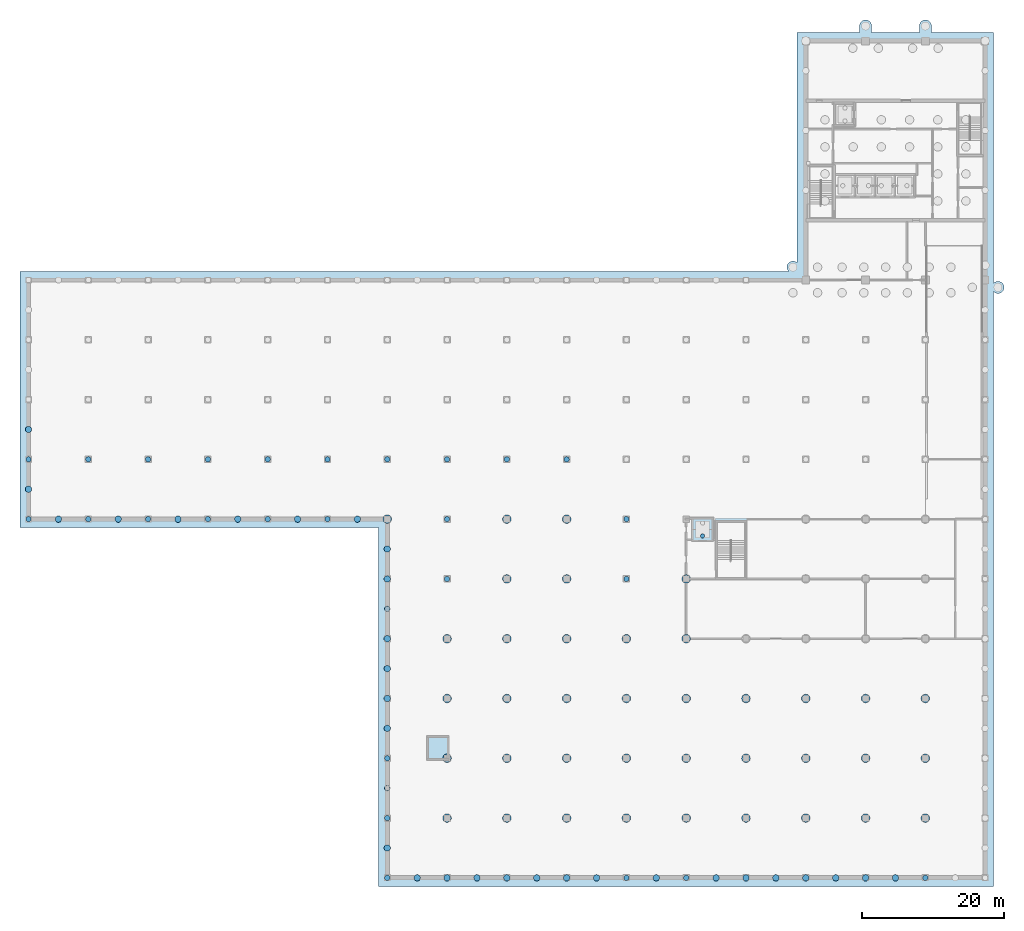
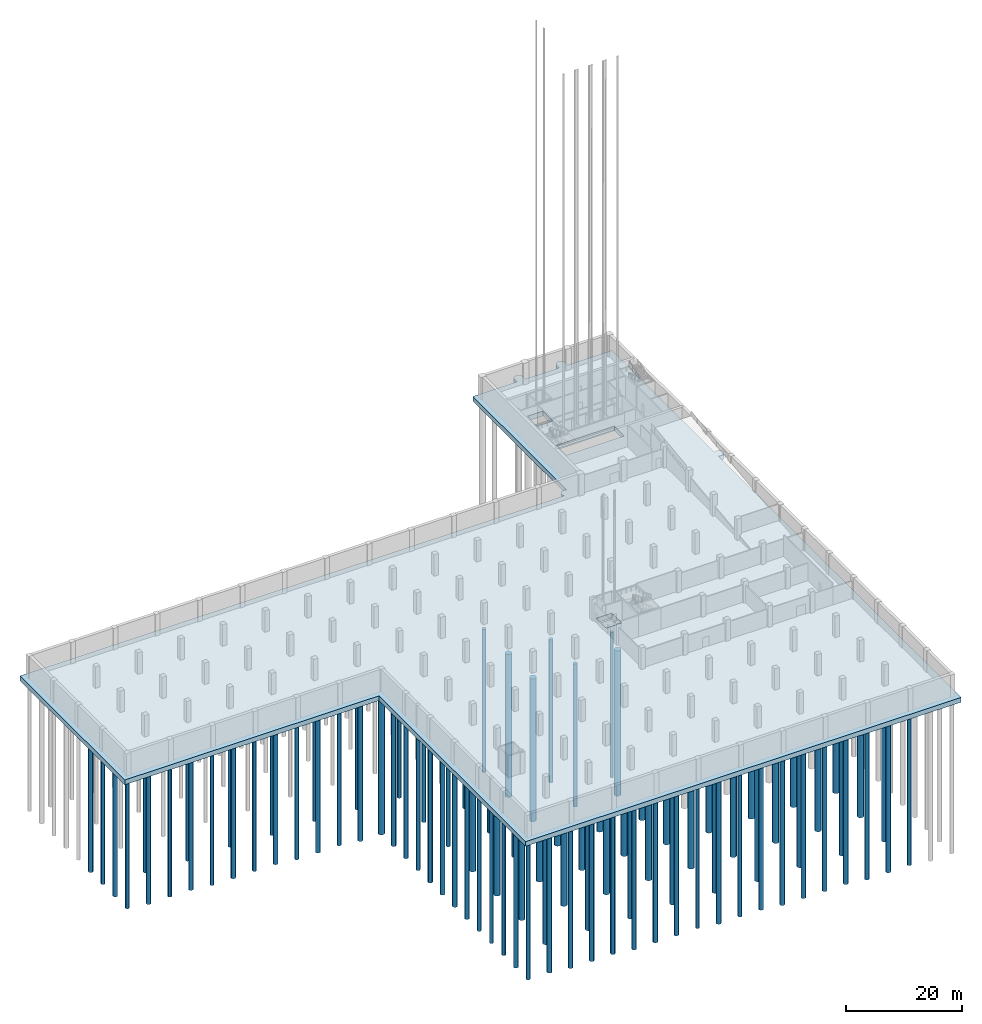
# One storey, part 1 of 26: 97 piles, 2 footings.
"""IFC4 building model written with IfcOpenShell, lengths in metres."""

from ifc_helpers import new_model, si_unit, direction, frame, origin, origin_2d, place, context, subcontext, project, spatial, polyline, rectangle, circle, outline, extrude, material, layer, layer_set, material_profile, profile_set, type_object, element, save


model = new_model("IFC4")

# Units and contexts
model_context = context("Model", 3, precision=1e-05, world=origin(), true_north=direction((0.0, 1.0)))
body_context = subcontext(model_context, "Body", "Model", "MODEL_VIEW")
ifc_project = project(units=[si_unit("LENGTHUNIT", "METRE"), si_unit("AREAUNIT", "SQUARE_METRE"), si_unit("VOLUMEUNIT", "CUBIC_METRE"), si_unit("PLANEANGLEUNIT", "RADIAN"), si_unit("MASSUNIT", "GRAM", prefix="KILO")], contexts=[model_context])

# Site, building, storey
site_placement = place(None, origin())
site = spatial("IfcSite", under=ifc_project, at=site_placement, CompositionType="ELEMENT")
building_placement = place(site_placement, origin())
building = spatial("IfcBuilding", under=site, at=building_placement, Name="Rulbaag Community and Learning Centre", CompositionType="ELEMENT")
storey_placement = place(building_placement, frame((0.0, 0.0, -9.60009765625)))
storey = spatial("IfcBuildingStorey", under=building, at=storey_placement, Name="B2", CompositionType="ELEMENT", Elevation=-9.60009765625)

# Footing
ifc_material = material(Name="Concrete M35", Category="concrete")
ifc_layer = layer(ifc_material, 1.0)
ifc_layer_set = layer_set([ifc_layer], Name="F1 Foundation slab 1000 Concrete M35")
footing_type_1 = type_object("IfcFootingType", Name="F1 Foundation slab 1000 Concrete M35", PredefinedType="USERDEFINED", material=ifc_layer_set)
footing_1_placement = place(storey_placement, frame((0.0, 0.0, -1.25)))
element("IfcFooting", 1, at=footing_1_placement, inside=storey, type_object=footing_type_1, Name="Foundation slab", ObjectType="FOUNDATION SLAB", PredefinedType="USERDEFINED", context=body_context, shape_type="SweptSolid", body=[
    extrude(outline(polyline([(32.39990234375, 49.199951171875), (32.39990234375, 85.199951171875), (140.39794921875, 85.199951171875), (140.343017578125, 85.2607421875), (140.293212890625, 85.327880859375), (140.25048828125, 85.3994140625), (140.214599609375, 85.474609375), (140.1865234375, 85.55322265625), (140.166259765625, 85.63427734375), (140.154052734375, 85.716796875), (140.14990234375, 85.800048828125), (140.154052734375, 85.88330078125), (140.166259765625, 85.9658203125), (140.1865234375, 86.046630859375), (140.214599609375, 86.125244140625), (140.25048828125, 86.20068359375), (140.293212890625, 86.272216796875), (140.343017578125, 86.339111328125), (140.39892578125, 86.40087890625), (140.460693359375, 86.45703125), (140.52783203125, 86.506591796875), (140.599365234375, 86.549560546875), (140.6748046875, 86.585205078125), (140.75341796875, 86.61328125), (140.834228515625, 86.6337890625), (140.916748046875, 86.64599609375), (141.0, 86.64990234375), (141.083251953125, 86.64599609375), (141.165771484375, 86.6337890625), (141.24658203125, 86.61328125), (141.3251953125, 86.585205078125), (141.400634765625, 86.549560546875), (141.47216796875, 86.506591796875), (141.539306640625, 86.45703125), (141.60009765625, 86.402099609375), (141.60009765625, 118.800048828125), (150.35009765625, 118.800048828125), (150.35009765625, 119.6787109375), (150.35400390625, 119.761962890625), (150.3662109375, 119.844482421875), (150.38671875, 119.92529296875), (150.414794921875, 120.00390625), (150.450439453125, 120.079345703125), (150.493408203125, 120.15087890625), (150.54296875, 120.218017578125), (150.59912109375, 120.27978515625), (150.660888671875, 120.335693359375), (150.727783203125, 120.385498046875), (150.79931640625, 120.42822265625), (150.874755859375, 120.464111328125), (150.953369140625, 120.4921875), (151.0341796875, 120.51220703125), (151.11669921875, 120.524658203125), (151.199951171875, 120.52880859375), (151.283203125, 120.524658203125), (151.36572265625, 120.51220703125), (151.44677734375, 120.4921875), (151.525390625, 120.464111328125), (151.6005859375, 120.42822265625), (151.672119140625, 120.385498046875), (151.7392578125, 120.335693359375), (151.801025390625, 120.27978515625), (151.857177734375, 120.218017578125), (151.90673828125, 120.15087890625), (151.94970703125, 120.079345703125), (151.9853515625, 120.00390625), (152.013427734375, 119.92529296875), (152.03369140625, 119.844482421875), (152.0458984375, 119.761962890625), (152.050048828125, 119.6787109375), (152.050048828125, 118.800048828125), (158.75, 118.800048828125), (158.75, 118.800048828125), (158.75, 119.6787109375), (158.750244140625, 119.682861328125), (158.754150390625, 119.761962890625), (158.764404296875, 119.832275390625), (158.766357421875, 119.844482421875), (158.771484375, 119.86474609375), (158.78662109375, 119.92529296875), (158.8046875, 119.975830078125), (158.814697265625, 120.00390625), (158.83154296875, 120.03955078125), (158.850341796875, 120.079345703125), (158.867431640625, 120.10791015625), (158.893310546875, 120.15087890625), (158.920166015625, 120.18701171875), (158.94287109375, 120.218017578125), (158.964111328125, 120.2412109375), (158.9990234375, 120.27978515625), (159.060791015625, 120.335693359375), (159.10595703125, 120.369140625), (159.127685546875, 120.385498046875), (159.19921875, 120.42822265625), (159.19921875, 120.42822265625), (159.203369140625, 120.43017578125), (159.274658203125, 120.464111328125), (159.353271484375, 120.4921875), (159.393798828125, 120.502197265625), (159.43408203125, 120.51220703125), (159.4921875, 120.52099609375), (159.5166015625, 120.524658203125), (159.60009765625, 120.52880859375), (159.60009765625, 120.52880859375), (159.683349609375, 120.524658203125), (159.765869140625, 120.51220703125), (159.806396484375, 120.502197265625), (159.8466796875, 120.4921875), (159.92529296875, 120.464111328125), (160.000732421875, 120.42822265625), (160.000732421875, 120.42822265625), (160.012451171875, 120.421142578125), (160.072265625, 120.385498046875), (160.117431640625, 120.351806640625), (160.13916015625, 120.335693359375), (160.200927734375, 120.27978515625), (160.22216796875, 120.25634765625), (160.257080078125, 120.218017578125), (160.283935546875, 120.181640625), (160.306640625, 120.15087890625), (160.329833984375, 120.1123046875), (160.349609375, 120.079345703125), (160.366455078125, 120.043701171875), (160.38525390625, 120.00390625), (160.4033203125, 119.95361328125), (160.413330078125, 119.92529296875), (160.43359375, 119.844482421875), (160.44580078125, 119.761962890625), (160.449951171875, 119.6787109375), (160.449951171875, 119.6787109375), (160.449951171875, 119.6787109375), (160.449951171875, 118.800048828125), (169.199951171875, 118.800048828125), (169.199951171875, 83.562744140625), (169.2607421875, 83.61767578125), (169.327880859375, 83.66748046875), (169.3994140625, 83.710205078125), (169.474609375, 83.74609375), (169.55322265625, 83.774169921875), (169.63427734375, 83.794189453125), (169.716796875, 83.806640625), (169.800048828125, 83.810791015625), (169.88330078125, 83.806640625), (169.9658203125, 83.794189453125), (170.046630859375, 83.774169921875), (170.125244140625, 83.74609375), (170.20068359375, 83.710205078125), (170.272216796875, 83.66748046875), (170.339111328125, 83.61767578125), (170.40087890625, 83.561767578125), (170.45703125, 83.5), (170.506591796875, 83.432861328125), (170.549560546875, 83.361328125), (170.585205078125, 83.285888671875), (170.61328125, 83.20751953125), (170.6337890625, 83.12646484375), (170.64599609375, 83.0439453125), (170.64990234375, 82.960693359375), (170.64599609375, 82.87744140625), (170.6337890625, 82.794921875), (170.61328125, 82.7138671875), (170.585205078125, 82.635498046875), (170.549560546875, 82.56005859375), (170.506591796875, 82.48828125), (170.45703125, 82.42138671875), (170.40087890625, 82.359619140625), (170.339111328125, 82.3037109375), (170.272216796875, 82.25390625), (170.20068359375, 82.2109375), (170.125244140625, 82.17529296875), (170.046630859375, 82.147216796875), (169.9658203125, 82.126953125), (169.88330078125, 82.11474609375), (169.800048828125, 82.110595703125), (169.716796875, 82.11474609375), (169.63427734375, 82.126953125), (169.55322265625, 82.147216796875), (169.474609375, 82.17529296875), (169.3994140625, 82.2109375), (169.327880859375, 82.25390625), (169.2607421875, 82.3037109375), (169.199951171875, 82.358642578125), (169.199951171875, -1.199951171875), (82.800048828125, -1.199951171875), (82.800048828125, 49.199951171875), (32.39990234375, 49.199951171875)]), holes=[polyline([(126.75, 47.25), (126.75, 50.64990234375), (129.85009765625, 50.64990234375), (129.85009765625, 47.25), (126.75, 47.25)]), polyline([(146.75, 98.949951171875), (158.25, 98.949951171875), (158.25, 95.550048828125), (146.75, 95.550048828125), (146.75, 98.949951171875)]), polyline([(146.75, 108.949951171875), (149.85009765625, 108.949951171875), (149.85009765625, 105.550048828125), (146.75, 105.550048828125), (146.75, 108.949951171875)])]), origin(), (0.0, 0.0, 1.0), 1.0),
])

# Piles
ifc_material_profile_1 = material_profile(ifc_material, circle(Radius=0.375, at=origin_2d()), Name="BP750")
ifc_profile_set_1 = profile_set([ifc_material_profile_1], Name="Concrete M35")
pile_type_1 = type_object("IfcPileType", Name="P1 Bored pile 750 mm Concrete M35", PredefinedType="BORED", material=ifc_profile_set_1)
for number, where, z_axis, x_axis, name in (
    (2, (33.60009765625, 50.39990234375, -1.14990234375), (0.0, 0.0, -1.0), (1.0, 0.0, 0.0), "PL-RAFT-33.6x50.4"),
    (3, (33.60009765625, 58.800048828125, -1.14990234375), (0.0, 0.0, -1.0), (1.0, 0.0, 0.0), "PL-RAFT-33.6x58.8"),
):
    element("IfcPile", number, at=place(storey_placement, frame(where, z_axis=z_axis, x_axis=x_axis)), inside=storey, type_object=pile_type_1, Name=name, PredefinedType="BORED", context=body_context, shape_type="SweptSolid", body=[
        extrude(circle(Radius=0.375, at=origin_2d()), origin(), (0.0, 0.0, 1.0), 27.0),
    ])
for number, where, z_axis, x_axis, name in (
    (4, (42.0, 50.39990234375, -1.14990234375), (0.0, 0.0, -1.0), (1.0, 0.0, 0.0), "PL-RAFT-42.0x50.4"),
    (5, (42.0, 58.800048828125, -1.14990234375), (0.0, 0.0, -1.0), (1.0, 0.0, 0.0), "PL-RAFT-42.0x58.8"),
):
    element("IfcPile", number, at=place(storey_placement, frame(where, z_axis=z_axis, x_axis=x_axis)), inside=storey, type_object=pile_type_1, Name=name, PredefinedType="BORED", context=body_context, shape_type="SweptSolid", body=[
        extrude(circle(Radius=0.375, at=origin_2d()), origin(), (0.0, 0.0, 1.0), 27.5),
    ])
for number, where, z_axis, x_axis, name in (
    (6, (50.39990234375, 50.39990234375, -1.14990234375), (0.0, 0.0, -1.0), (1.0, 0.0, 0.0), "PL-RAFT-50.4x50.4"),
    (7, (50.39990234375, 58.800048828125, -1.14990234375), (0.0, 0.0, -1.0), (1.0, 0.0, 0.0), "PL-RAFT-50.4x58.8"),
    (8, (58.800048828125, 50.39990234375, -1.14990234375), (0.0, 0.0, -1.0), (1.0, 0.0, 0.0), "PL-RAFT-58.8x50.4"),
    (9, (58.800048828125, 58.800048828125, -1.14990234375), (0.0, 0.0, -1.0), (1.0, 0.0, 0.0), "PL-RAFT-58.8x58.8"),
):
    element("IfcPile", number, at=place(storey_placement, frame(where, z_axis=z_axis, x_axis=x_axis)), inside=storey, type_object=pile_type_1, Name=name, PredefinedType="BORED", context=body_context, shape_type="SweptSolid", body=[
        extrude(circle(Radius=0.375, at=origin_2d()), origin(), (0.0, 0.0, 1.0), 28.0),
    ])
for number, where, z_axis, x_axis, name in (
    (10, (67.199951171875, 50.39990234375, -1.14990234375), (0.0, 0.0, -1.0), (1.0, 0.0, 0.0), "PL-RAFT-67.2x50.4"),
    (11, (67.199951171875, 58.800048828125, -1.14990234375), (0.0, 0.0, -1.0), (1.0, 0.0, 0.0), "PL-RAFT-67.2x58.8"),
    (12, (75.60009765625, 50.39990234375, -1.14990234375), (0.0, 0.0, -1.0), (1.0, 0.0, 0.0), "PL-RAFT-75.6x50.4"),
    (13, (75.60009765625, 58.800048828125, -1.14990234375), (0.0, 0.0, -1.0), (1.0, 0.0, 0.0), "PL-RAFT-75.6x58.8"),
):
    element("IfcPile", number, at=place(storey_placement, frame(where, z_axis=z_axis, x_axis=x_axis)), inside=storey, type_object=pile_type_1, Name=name, PredefinedType="BORED", context=body_context, shape_type="SweptSolid", body=[
        extrude(circle(Radius=0.375, at=origin_2d()), origin(), (0.0, 0.0, 1.0), 28.5),
    ])
for number, where, z_axis, x_axis, name in (
    (14, (84.0, 0.0, -1.14990234375), (0.0, 0.0, -1.0), (1.0, 0.0, 0.0), "PL-RAFT-84.0x0.0"),
    (15, (84.0, 8.39990234375, -1.14990234375), (0.0, 0.0, -1.0), (1.0, 0.0, 0.0), "PL-RAFT-84.0x8.4"),
    (16, (84.0, 16.800048828125, -1.14990234375), (0.0, 0.0, -1.0), (1.0, 0.0, 0.0), "PL-RAFT-84.0x16.8"),
    (17, (84.0, 58.800048828125, -1.14990234375), (0.0, 0.0, -1.0), (1.0, 0.0, 0.0), "PL-RAFT-84.0x58.8"),
):
    element("IfcPile", number, at=place(storey_placement, frame(where, z_axis=z_axis, x_axis=x_axis)), inside=storey, type_object=pile_type_1, Name=name, PredefinedType="BORED", context=body_context, shape_type="SweptSolid", body=[
        extrude(circle(Radius=0.375, at=origin_2d()), origin(), (0.0, 0.0, 1.0), 29.0),
    ])
for number, where, z_axis, x_axis, name in (
    (18, (92.39990234375, 42.0, -1.14990234375), (0.0, 0.0, -1.0), (1.0, 0.0, 0.0), "PL-RAFT-92.4x42.0"),
    (19, (92.39990234375, 50.39990234375, -1.14990234375), (0.0, 0.0, -1.0), (1.0, 0.0, 0.0), "PL-RAFT-92.4x50.4"),
    (20, (92.39990234375, 58.800048828125, -1.14990234375), (0.0, 0.0, -1.0), (1.0, 0.0, 0.0), "PL-RAFT-92.4x58.8"),
    (21, (100.800048828125, 58.800048828125, -1.14990234375), (0.0, 0.0, -1.0), (1.0, 0.0, 0.0), "PL-RAFT-100.8x58.8"),
):
    element("IfcPile", number, at=place(storey_placement, frame(where, z_axis=z_axis, x_axis=x_axis)), inside=storey, type_object=pile_type_1, Name=name, PredefinedType="BORED", context=body_context, shape_type="SweptSolid", body=[
        extrude(circle(Radius=0.375, at=origin_2d()), origin(), (0.0, 0.0, 1.0), 29.5),
    ])
for number, where, z_axis, x_axis, name in (
    (22, (109.199951171875, 58.800048828125, -1.14990234375), (0.0, 0.0, -1.0), (1.0, 0.0, 0.0), "PL-RAFT-109.2x58.8"),
    (23, (117.60009765625, 0.0, -1.14990234375), (0.0, 0.0, -1.0), (1.0, 0.0, 0.0), "PL-RAFT-117.6x0.0"),
    (24, (117.60009765625, 42.0, -1.14990234375), (0.0, 0.0, -1.0), (1.0, 0.0, 0.0), "PL-RAFT-117.6x42.0"),
    (25, (117.60009765625, 50.39990234375, -1.14990234375), (0.0, 0.0, -1.0), (1.0, 0.0, 0.0), "PL-RAFT-117.6x50.4"),
):
    element("IfcPile", number, at=place(storey_placement, frame(where, z_axis=z_axis, x_axis=x_axis)), inside=storey, type_object=pile_type_1, Name=name, PredefinedType="BORED", context=body_context, shape_type="SweptSolid", body=[
        extrude(circle(Radius=0.375, at=origin_2d()), origin(), (0.0, 0.0, 1.0), 30.0),
    ])
pile_1_placement = place(storey_placement, frame((126.0, 0.0, -1.14990234375), z_axis=(0.0, 0.0, -1.0), x_axis=(1.0, 0.0, 0.0)))
element("IfcPile", 26, at=pile_1_placement, inside=storey, type_object=pile_type_1, Name="PL-RAFT-126.0x0.0", PredefinedType="BORED", context=body_context, shape_type="SweptSolid", body=[
    extrude(circle(Radius=0.375, at=origin_2d()), origin(), (0.0, 0.0, 1.0), 30.5),
])
pile_2_placement = place(storey_placement, frame((159.60009765625, 0.0, -1.14990234375), z_axis=(0.0, 0.0, -1.0), x_axis=(1.0, 0.0, 0.0)))
element("IfcPile", 27, at=pile_2_placement, inside=storey, type_object=pile_type_1, Name="PL-RAFT-159.6x0.0", PredefinedType="BORED", context=body_context, shape_type="SweptSolid", body=[
    extrude(circle(Radius=0.375, at=origin_2d()), origin(), (0.0, 0.0, 1.0), 31.5),
])
for number, where, z_axis, x_axis, name in (
    (28, (84.0, 12.60009765625, -1.14990234375), (0.0, 0.0, -1.0), (1.0, 0.0, 0.0), "PL-RAFT-84.0x12.6"),
    (29, (84.0, 37.800048828125, -1.14990234375), (0.0, 0.0, -1.0), (1.0, 0.0, 0.0), "PL-RAFT-84.0x37.8"),
):
    element("IfcPile", number, at=place(storey_placement, frame(where, z_axis=z_axis, x_axis=x_axis)), inside=storey, type_object=pile_type_1, Name=name, PredefinedType="BORED", context=body_context, shape_type="SweptSolid", body=[
        extrude(circle(Radius=0.375, at=origin_2d()), origin(), (0.0, 0.0, 1.0), 29.0),
    ])
ifc_material_profile_2 = material_profile(ifc_material, circle(Radius=0.449951171875, at=origin_2d()), Name="BP900")
ifc_profile_set_2 = profile_set([ifc_material_profile_2], Name="Concrete M35")
pile_type_2 = type_object("IfcPileType", Name="P2 Bored pile 900 mm Concrete M35", PredefinedType="BORED", material=ifc_profile_set_2)
for number, where, z_axis, x_axis, name in (
    (30, (84.0, 25.199951171875, -1.14990234375), (0.0, 0.0, -1.0), (1.0, 0.0, 0.0), "PL-RAFT-84.0x25.2"),
    (31, (84.0, 33.60009765625, -1.14990234375), (0.0, 0.0, -1.0), (1.0, 0.0, 0.0), "PL-RAFT-84.0x33.6"),
    (32, (84.0, 42.0, -1.14990234375), (0.0, 0.0, -1.0), (1.0, 0.0, 0.0), "PL-RAFT-84.0x42.0"),
):
    element("IfcPile", number, at=place(storey_placement, frame(where, z_axis=z_axis, x_axis=x_axis)), inside=storey, type_object=pile_type_2, Name=name, PredefinedType="BORED", context=body_context, shape_type="SweptSolid", body=[
        extrude(circle(Radius=0.449951171875, at=origin_2d()), origin(), (0.0, 0.0, 1.0), 29.0),
    ])
for number, where, z_axis, x_axis, name in (
    (33, (92.39990234375, 0.0, -1.14990234375), (0.0, 0.0, -1.0), (1.0, 0.0, 0.0), "PL-RAFT-92.4x0.0"),
    (34, (100.800048828125, 0.0, -1.14990234375), (0.0, 0.0, -1.0), (1.0, 0.0, 0.0), "PL-RAFT-100.8x0.0"),
):
    element("IfcPile", number, at=place(storey_placement, frame(where, z_axis=z_axis, x_axis=x_axis)), inside=storey, type_object=pile_type_2, Name=name, PredefinedType="BORED", context=body_context, shape_type="SweptSolid", body=[
        extrude(circle(Radius=0.449951171875, at=origin_2d()), origin(), (0.0, 0.0, 1.0), 29.5),
    ])
pile_3_placement = place(storey_placement, frame((109.199951171875, 0.0, -1.14990234375), z_axis=(0.0, 0.0, -1.0), x_axis=(1.0, 0.0, 0.0)))
element("IfcPile", 35, at=pile_3_placement, inside=storey, type_object=pile_type_2, Name="PL-RAFT-109.2x0.0", PredefinedType="BORED", context=body_context, shape_type="SweptSolid", body=[
    extrude(circle(Radius=0.449951171875, at=origin_2d()), origin(), (0.0, 0.0, 1.0), 30.0),
])
for number, where, z_axis, x_axis, name in (
    (36, (134.39990234375, 0.0, -1.14990234375), (0.0, 0.0, -1.0), (1.0, 0.0, 0.0), "PL-RAFT-134.4x0.0"),
    (37, (142.800048828125, 0.0, -1.14990234375), (0.0, 0.0, -1.0), (1.0, 0.0, 0.0), "PL-RAFT-142.8x0.0"),
):
    element("IfcPile", number, at=place(storey_placement, frame(where, z_axis=z_axis, x_axis=x_axis)), inside=storey, type_object=pile_type_2, Name=name, PredefinedType="BORED", context=body_context, shape_type="SweptSolid", body=[
        extrude(circle(Radius=0.449951171875, at=origin_2d()), origin(), (0.0, 0.0, 1.0), 31.0),
    ])
pile_4_placement = place(storey_placement, frame((151.199951171875, 0.0, -1.14990234375), z_axis=(0.0, 0.0, -1.0), x_axis=(1.0, 0.0, 0.0)))
element("IfcPile", 38, at=pile_4_placement, inside=storey, type_object=pile_type_2, Name="PL-RAFT-151.2x0.0", PredefinedType="BORED", context=body_context, shape_type="SweptSolid", body=[
    extrude(circle(Radius=0.449951171875, at=origin_2d()), origin(), (0.0, 0.0, 1.0), 31.5),
])
pile_5_placement = place(storey_placement, frame((88.199951171875, 0.0, -1.14990234375), z_axis=(0.0, 0.0, -1.0), x_axis=(1.0, 0.0, 0.0)))
element("IfcPile", 39, at=pile_5_placement, inside=storey, type_object=pile_type_2, Name="PL-RAFT-88.2x0.0", PredefinedType="BORED", context=body_context, shape_type="SweptSolid", body=[
    extrude(circle(Radius=0.449951171875, at=origin_2d()), origin(), (0.0, 0.0, 1.0), 29.0),
])
pile_6_placement = place(storey_placement, frame((96.60009765625, 0.0, -1.14990234375), z_axis=(0.0, 0.0, -1.0), x_axis=(1.0, 0.0, 0.0)))
element("IfcPile", 40, at=pile_6_placement, inside=storey, type_object=pile_type_2, Name="PL-RAFT-96.6x0.0", PredefinedType="BORED", context=body_context, shape_type="SweptSolid", body=[
    extrude(circle(Radius=0.449951171875, at=origin_2d()), origin(), (0.0, 0.0, 1.0), 29.5),
])
for number, where, z_axis, x_axis, name in (
    (41, (105.0, 0.0, -1.14990234375), (0.0, 0.0, -1.0), (1.0, 0.0, 0.0), "PL-RAFT-105.0x0.0"),
    (42, (113.39990234375, 0.0, -1.14990234375), (0.0, 0.0, -1.0), (1.0, 0.0, 0.0), "PL-RAFT-113.4x0.0"),
):
    element("IfcPile", number, at=place(storey_placement, frame(where, z_axis=z_axis, x_axis=x_axis)), inside=storey, type_object=pile_type_2, Name=name, PredefinedType="BORED", context=body_context, shape_type="SweptSolid", body=[
        extrude(circle(Radius=0.449951171875, at=origin_2d()), origin(), (0.0, 0.0, 1.0), 30.0),
    ])
for number, where, z_axis, x_axis, name in (
    (43, (121.800048828125, 0.0, -1.14990234375), (0.0, 0.0, -1.0), (1.0, 0.0, 0.0), "PL-RAFT-121.8x0.0"),
    (44, (130.199951171875, 0.0, -1.14990234375), (0.0, 0.0, -1.0), (1.0, 0.0, 0.0), "PL-RAFT-130.2x0.0"),
):
    element("IfcPile", number, at=place(storey_placement, frame(where, z_axis=z_axis, x_axis=x_axis)), inside=storey, type_object=pile_type_2, Name=name, PredefinedType="BORED", context=body_context, shape_type="SweptSolid", body=[
        extrude(circle(Radius=0.449951171875, at=origin_2d()), origin(), (0.0, 0.0, 1.0), 30.5),
    ])
for number, where, z_axis, x_axis, name in (
    (45, (138.60009765625, 0.0, -1.14990234375), (0.0, 0.0, -1.0), (1.0, 0.0, 0.0), "PL-RAFT-138.6x0.0"),
    (46, (147.0, 0.0, -1.14990234375), (0.0, 0.0, -1.0), (1.0, 0.0, 0.0), "PL-RAFT-147.0x0.0"),
):
    element("IfcPile", number, at=place(storey_placement, frame(where, z_axis=z_axis, x_axis=x_axis)), inside=storey, type_object=pile_type_2, Name=name, PredefinedType="BORED", context=body_context, shape_type="SweptSolid", body=[
        extrude(circle(Radius=0.449951171875, at=origin_2d()), origin(), (0.0, 0.0, 1.0), 31.0),
    ])
pile_7_placement = place(storey_placement, frame((155.39990234375, 0.0, -1.14990234375), z_axis=(0.0, 0.0, -1.0), x_axis=(1.0, 0.0, 0.0)))
element("IfcPile", 47, at=pile_7_placement, inside=storey, type_object=pile_type_2, Name="PL-RAFT-155.4x0.0", PredefinedType="BORED", context=body_context, shape_type="SweptSolid", body=[
    extrude(circle(Radius=0.449951171875, at=origin_2d()), origin(), (0.0, 0.0, 1.0), 31.5),
])
for number, where, z_axis, x_axis, name in (
    (48, (33.60009765625, 63.0, -1.14990234375), (0.0, 0.0, -1.0), (1.0, 0.0, 0.0), "PL-RAFT-33.6x63.0"),
    (49, (33.60009765625, 54.60009765625, -1.14990234375), (0.0, 0.0, -1.0), (1.0, 0.0, 0.0), "PL-RAFT-33.6x54.6"),
):
    element("IfcPile", number, at=place(storey_placement, frame(where, z_axis=z_axis, x_axis=x_axis)), inside=storey, type_object=pile_type_2, Name=name, PredefinedType="BORED", context=body_context, shape_type="SweptSolid", body=[
        extrude(circle(Radius=0.449951171875, at=origin_2d()), origin(), (0.0, 0.0, 1.0), 27.0),
    ])
for number, where, z_axis, x_axis, name in (
    (50, (37.800048828125, 50.39990234375, -1.14990234375), (0.0, 0.0, -1.0), (1.0, 0.0, 0.0), "PL-RAFT-37.8x50.4"),
    (51, (46.199951171875, 50.39990234375, -1.14990234375), (0.0, 0.0, -1.0), (1.0, 0.0, 0.0), "PL-RAFT-46.2x50.4"),
):
    element("IfcPile", number, at=place(storey_placement, frame(where, z_axis=z_axis, x_axis=x_axis)), inside=storey, type_object=pile_type_2, Name=name, PredefinedType="BORED", context=body_context, shape_type="SweptSolid", body=[
        extrude(circle(Radius=0.449951171875, at=origin_2d()), origin(), (0.0, 0.0, 1.0), 27.5),
    ])
for number, where, z_axis, x_axis, name in (
    (52, (54.60009765625, 50.39990234375, -1.14990234375), (0.0, 0.0, -1.0), (1.0, 0.0, 0.0), "PL-RAFT-54.6x50.4"),
    (53, (63.0, 50.39990234375, -1.14990234375), (0.0, 0.0, -1.0), (1.0, 0.0, 0.0), "PL-RAFT-63.0x50.4"),
):
    element("IfcPile", number, at=place(storey_placement, frame(where, z_axis=z_axis, x_axis=x_axis)), inside=storey, type_object=pile_type_2, Name=name, PredefinedType="BORED", context=body_context, shape_type="SweptSolid", body=[
        extrude(circle(Radius=0.449951171875, at=origin_2d()), origin(), (0.0, 0.0, 1.0), 28.0),
    ])
pile_8_placement = place(storey_placement, frame((71.39990234375, 50.39990234375, -1.14990234375), z_axis=(0.0, 0.0, -1.0), x_axis=(1.0, 0.0, 0.0)))
element("IfcPile", 54, at=pile_8_placement, inside=storey, type_object=pile_type_2, Name="PL-RAFT-71.4x50.4", PredefinedType="BORED", context=body_context, shape_type="SweptSolid", body=[
    extrude(circle(Radius=0.449951171875, at=origin_2d()), origin(), (0.0, 0.0, 1.0), 28.5),
])
for number, where, z_axis, x_axis, name in (
    (55, (79.800048828125, 50.39990234375, -1.14990234375), (0.0, 0.0, -1.0), (1.0, 0.0, 0.0), "PL-RAFT-79.8x50.4"),
    (56, (84.0, 46.199951171875, -1.14990234375), (0.0, 0.0, -1.0), (1.0, 0.0, 0.0), "PL-RAFT-84.0x46.2"),
    (57, (84.0, 29.39990234375, -1.14990234375), (0.0, 0.0, -1.0), (1.0, 0.0, 0.0), "PL-RAFT-84.0x29.4"),
    (58, (84.0, 21.0, -1.14990234375), (0.0, 0.0, -1.0), (1.0, 0.0, 0.0), "PL-RAFT-84.0x21.0"),
    (59, (84.0, 4.199951171875, -1.14990234375), (0.0, 0.0, -1.0), (1.0, 0.0, 0.0), "PL-RAFT-84.0x4.2"),
):
    element("IfcPile", number, at=place(storey_placement, frame(where, z_axis=z_axis, x_axis=x_axis)), inside=storey, type_object=pile_type_2, Name=name, PredefinedType="BORED", context=body_context, shape_type="SweptSolid", body=[
        extrude(circle(Radius=0.449951171875, at=origin_2d()), origin(), (0.0, 0.0, 1.0), 29.0),
    ])
ifc_material_profile_3 = material_profile(ifc_material, circle(Radius=0.60009765625, at=origin_2d()), Name="BP1200")
ifc_profile_set_3 = profile_set([ifc_material_profile_3], Name="Concrete M35")
pile_type_3 = type_object("IfcPileType", Name="P4 Bored pile 1200 mm Concrete M35", PredefinedType="BORED", material=ifc_profile_set_3)
pile_9_placement = place(storey_placement, frame((84.0, 50.39990234375, -1.14990234375), z_axis=(0.0, 0.0, -1.0), x_axis=(1.0, 0.0, 0.0)))
element("IfcPile", 60, at=pile_9_placement, inside=storey, type_object=pile_type_3, Name="PL-RAFT-84.0x50.4", PredefinedType="BORED", context=body_context, shape_type="SweptSolid", body=[
    extrude(circle(Radius=0.60009765625, at=origin_2d()), origin(), (0.0, 0.0, 1.0), 29.0),
])
for number, where, z_axis, x_axis, name in (
    (61, (92.39990234375, 8.39990234375, -1.14990234375), (0.0, 0.0, -1.0), (1.0, 0.0, 0.0), "PL-RAFT-92.4x8.4"),
    (62, (92.39990234375, 16.800048828125, -1.14990234375), (0.0, 0.0, -1.0), (1.0, 0.0, 0.0), "PL-RAFT-92.4x16.8"),
    (63, (92.39990234375, 25.199951171875, -1.14990234375), (0.0, 0.0, -1.0), (1.0, 0.0, 0.0), "PL-RAFT-92.4x25.2"),
    (64, (92.39990234375, 33.60009765625, -1.14990234375), (0.0, 0.0, -1.0), (1.0, 0.0, 0.0), "PL-RAFT-92.4x33.6"),
    (65, (100.800048828125, 8.39990234375, -1.14990234375), (0.0, 0.0, -1.0), (1.0, 0.0, 0.0), "PL-RAFT-100.8x8.4"),
    (66, (100.800048828125, 16.800048828125, -1.14990234375), (0.0, 0.0, -1.0), (1.0, 0.0, 0.0), "PL-RAFT-100.8x16.8"),
    (67, (100.800048828125, 25.199951171875, -1.14990234375), (0.0, 0.0, -1.0), (1.0, 0.0, 0.0), "PL-RAFT-100.8x25.2"),
    (68, (100.800048828125, 33.60009765625, -1.14990234375), (0.0, 0.0, -1.0), (1.0, 0.0, 0.0), "PL-RAFT-100.8x33.6"),
    (69, (100.800048828125, 42.0, -1.14990234375), (0.0, 0.0, -1.0), (1.0, 0.0, 0.0), "PL-RAFT-100.8x42.0"),
    (70, (100.800048828125, 50.39990234375, -1.14990234375), (0.0, 0.0, -1.0), (1.0, 0.0, 0.0), "PL-RAFT-100.8x50.4"),
):
    element("IfcPile", number, at=place(storey_placement, frame(where, z_axis=z_axis, x_axis=x_axis)), inside=storey, type_object=pile_type_3, Name=name, PredefinedType="BORED", context=body_context, shape_type="SweptSolid", body=[
        extrude(circle(Radius=0.60009765625, at=origin_2d()), origin(), (0.0, 0.0, 1.0), 29.5),
    ])
for number, where, z_axis, x_axis, name in (
    (71, (109.199951171875, 8.39990234375, -1.14990234375), (0.0, 0.0, -1.0), (1.0, 0.0, 0.0), "PL-RAFT-109.2x8.4"),
    (72, (109.199951171875, 16.800048828125, -1.14990234375), (0.0, 0.0, -1.0), (1.0, 0.0, 0.0), "PL-RAFT-109.2x16.8"),
    (73, (109.199951171875, 25.199951171875, -1.14990234375), (0.0, 0.0, -1.0), (1.0, 0.0, 0.0), "PL-RAFT-109.2x25.2"),
    (74, (109.199951171875, 33.60009765625, -1.14990234375), (0.0, 0.0, -1.0), (1.0, 0.0, 0.0), "PL-RAFT-109.2x33.6"),
    (75, (109.199951171875, 42.0, -1.14990234375), (0.0, 0.0, -1.0), (1.0, 0.0, 0.0), "PL-RAFT-109.2x42.0"),
    (76, (109.199951171875, 50.39990234375, -1.14990234375), (0.0, 0.0, -1.0), (1.0, 0.0, 0.0), "PL-RAFT-109.2x50.4"),
    (77, (117.60009765625, 8.39990234375, -1.14990234375), (0.0, 0.0, -1.0), (1.0, 0.0, 0.0), "PL-RAFT-117.6x8.4"),
    (78, (117.60009765625, 16.800048828125, -1.14990234375), (0.0, 0.0, -1.0), (1.0, 0.0, 0.0), "PL-RAFT-117.6x16.8"),
    (79, (117.60009765625, 25.199951171875, -1.14990234375), (0.0, 0.0, -1.0), (1.0, 0.0, 0.0), "PL-RAFT-117.6x25.2"),
    (80, (117.60009765625, 33.60009765625, -1.14990234375), (0.0, 0.0, -1.0), (1.0, 0.0, 0.0), "PL-RAFT-117.6x33.6"),
):
    element("IfcPile", number, at=place(storey_placement, frame(where, z_axis=z_axis, x_axis=x_axis)), inside=storey, type_object=pile_type_3, Name=name, PredefinedType="BORED", context=body_context, shape_type="SweptSolid", body=[
        extrude(circle(Radius=0.60009765625, at=origin_2d()), origin(), (0.0, 0.0, 1.0), 30.0),
    ])
for number, where, z_axis, x_axis, name in (
    (81, (126.0, 8.39990234375, -1.14990234375), (0.0, 0.0, -1.0), (1.0, 0.0, 0.0), "PL-RAFT-126.0x8.4"),
    (82, (126.0, 16.800048828125, -1.14990234375), (0.0, 0.0, -1.0), (1.0, 0.0, 0.0), "PL-RAFT-126.0x16.8"),
    (83, (126.0, 25.199951171875, -1.14990234375), (0.0, 0.0, -1.0), (1.0, 0.0, 0.0), "PL-RAFT-126.0x25.2"),
    (84, (126.0, 33.60009765625, -1.14990234375), (0.0, 0.0, -1.0), (1.0, 0.0, 0.0), "PL-RAFT-126.0x33.6"),
    (85, (126.0, 42.0, -1.14990234375), (0.0, 0.0, -1.0), (1.0, 0.0, 0.0), "PL-RAFT-126.0x42.0"),
):
    element("IfcPile", number, at=place(storey_placement, frame(where, z_axis=z_axis, x_axis=x_axis)), inside=storey, type_object=pile_type_3, Name=name, PredefinedType="BORED", context=body_context, shape_type="SweptSolid", body=[
        extrude(circle(Radius=0.60009765625, at=origin_2d()), origin(), (0.0, 0.0, 1.0), 30.5),
    ])
for number, where, z_axis, x_axis, name in (
    (86, (134.39990234375, 8.39990234375, -1.14990234375), (0.0, 0.0, -1.0), (1.0, 0.0, 0.0), "PL-RAFT-134.4x8.4"),
    (87, (134.39990234375, 16.800048828125, -1.14990234375), (0.0, 0.0, -1.0), (1.0, 0.0, 0.0), "PL-RAFT-134.4x16.8"),
    (88, (134.39990234375, 25.199951171875, -1.14990234375), (0.0, 0.0, -1.0), (1.0, 0.0, 0.0), "PL-RAFT-134.4x25.2"),
    (89, (142.800048828125, 8.39990234375, -1.14990234375), (0.0, 0.0, -1.0), (1.0, 0.0, 0.0), "PL-RAFT-142.8x8.4"),
    (90, (142.800048828125, 16.800048828125, -1.14990234375), (0.0, 0.0, -1.0), (1.0, 0.0, 0.0), "PL-RAFT-142.8x16.8"),
    (91, (142.800048828125, 25.199951171875, -1.14990234375), (0.0, 0.0, -1.0), (1.0, 0.0, 0.0), "PL-RAFT-142.8x25.2"),
):
    element("IfcPile", number, at=place(storey_placement, frame(where, z_axis=z_axis, x_axis=x_axis)), inside=storey, type_object=pile_type_3, Name=name, PredefinedType="BORED", context=body_context, shape_type="SweptSolid", body=[
        extrude(circle(Radius=0.60009765625, at=origin_2d()), origin(), (0.0, 0.0, 1.0), 31.0),
    ])
for number, where, z_axis, x_axis, name in (
    (92, (151.199951171875, 8.39990234375, -1.14990234375), (0.0, 0.0, -1.0), (1.0, 0.0, 0.0), "PL-RAFT-151.2x8.4"),
    (93, (151.199951171875, 16.800048828125, -1.14990234375), (0.0, 0.0, -1.0), (1.0, 0.0, 0.0), "PL-RAFT-151.2x16.8"),
    (94, (151.199951171875, 25.199951171875, -1.14990234375), (0.0, 0.0, -1.0), (1.0, 0.0, 0.0), "PL-RAFT-151.2x25.2"),
    (95, (159.60009765625, 8.39990234375, -1.14990234375), (0.0, 0.0, -1.0), (1.0, 0.0, 0.0), "PL-RAFT-159.6x8.4"),
    (96, (159.60009765625, 16.800048828125, -1.14990234375), (0.0, 0.0, -1.0), (1.0, 0.0, 0.0), "PL-RAFT-159.6x16.8"),
    (97, (159.60009765625, 25.199951171875, -1.14990234375), (0.0, 0.0, -1.0), (1.0, 0.0, 0.0), "PL-RAFT-159.6x25.2"),
):
    element("IfcPile", number, at=place(storey_placement, frame(where, z_axis=z_axis, x_axis=x_axis)), inside=storey, type_object=pile_type_3, Name=name, PredefinedType="BORED", context=body_context, shape_type="SweptSolid", body=[
        extrude(circle(Radius=0.60009765625, at=origin_2d()), origin(), (0.0, 0.0, 1.0), 31.5),
    ])
ifc_material_profile_4 = material_profile(ifc_material, circle(Radius=0.300048828125, at=origin_2d()), Name="BP600")
ifc_profile_set_4 = profile_set([ifc_material_profile_4], Name="Concrete M35")
pile_type_4 = type_object("IfcPileType", Name="P5 Bored pile 600 mm Concrete M35", PredefinedType="BORED", material=ifc_profile_set_4)
pile_10_placement = place(storey_placement, frame((128.300048828125, 48.050048828125, -2.0), z_axis=(0.0, 0.0, -1.0), x_axis=(1.0, 0.0, 0.0)))
element("IfcPile", 98, at=pile_10_placement, inside=storey, type_object=pile_type_4, Name="PL-PIT-LH3-1", PredefinedType="BORED", context=body_context, shape_type="SweptSolid", body=[
    extrude(circle(Radius=0.300048828125, at=origin_2d()), origin(), (0.0, 0.0, 1.0), 30.5),
])

# Footing
footing_type_2 = type_object("IfcFootingType", Name="PC3 Lift pit pad 3100 x 3400 x 600 Concrete M35", PredefinedType="PAD_FOOTING", material=ifc_material)
footing_2_placement = place(storey_placement, frame((128.300048828125, 48.949951171875, -2.099853515625), z_axis=(0.0, 0.0, 1.0), x_axis=(1.0, 0.0, 0.0)))
element("IfcFooting", 99, at=footing_2_placement, inside=storey, type_object=footing_type_2, Name="FT-PIT-LH3", PredefinedType="PAD_FOOTING", context=body_context, shape_type="SweptSolid", body=[
    extrude(rectangle(XDim=3.10009765625, YDim=3.39990234375, at=origin_2d()), origin(), (0.0, 0.0, 1.0), 0.60009765625),
])

save(model, "model.ifc")
